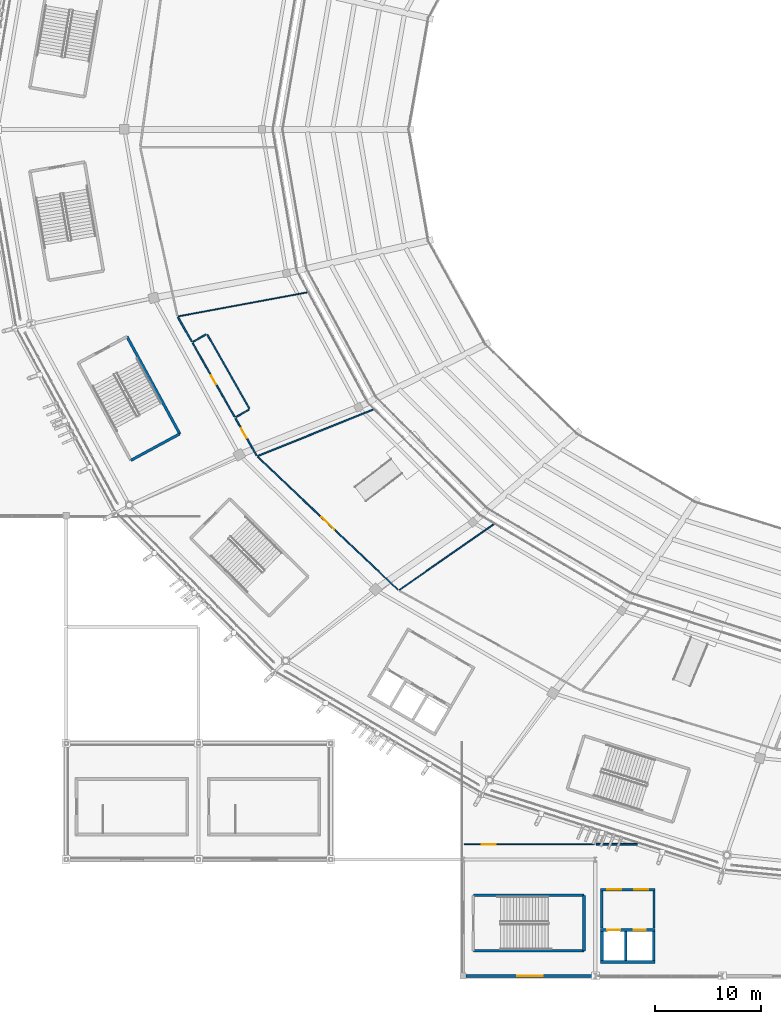
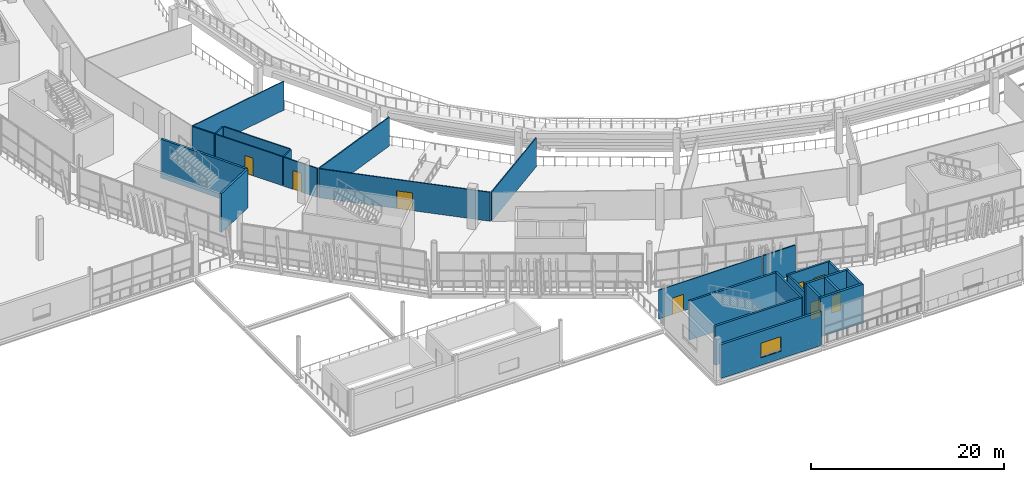
# One storey, part 121 of 178: 26 walls, 8 doors, 1 window, 9 openings.
"""IFC4 building model written with IfcOpenShell, lengths in metres."""

from ifc_helpers import new_model, si_unit, direction, frame, frame_2d, origin, place, context, subcontext, project, spatial, rectangle, extrude, material, layer, layer_set, type_object, element, fill, save


model = new_model("IFC4")

# Units and contexts
model_context = context("Model", 3, precision=1e-05, world=origin(), true_north=direction((0.0, 1.0)))
body_context = subcontext(model_context, "Body", "Model", "MODEL_VIEW")
ifc_project = project(units=[si_unit("LENGTHUNIT", "METRE"), si_unit("AREAUNIT", "SQUARE_METRE"), si_unit("VOLUMEUNIT", "CUBIC_METRE"), si_unit("PLANEANGLEUNIT", "RADIAN"), si_unit("MASSUNIT", "GRAM", prefix="KILO")], contexts=[model_context])

# Site, building, storey
site_placement = place(None, origin())
site = spatial("IfcSite", under=ifc_project, at=site_placement, CompositionType="ELEMENT")
building_placement = place(site_placement, origin())
building = spatial("IfcBuilding", under=site, at=building_placement, Name="Zlatoyarsky Gate Stadium", CompositionType="ELEMENT")
storey_placement = place(building_placement, frame((0.0, 0.0, 5.39990234375)))
storey = spatial("IfcBuildingStorey", under=building, at=storey_placement, Name="L01", CompositionType="ELEMENT", Elevation=5.39990234375)

# Wall
ifc_material_1 = material(Name="Double-stud acoustic gypsum partition", Category="gypsum")
ifc_layer_1 = layer(ifc_material_1, 0.169921875)
ifc_layer_set_1 = layer_set([ifc_layer_1], Name="Double-stud acoustic gypsum partition")
wall_type_1 = type_object("IfcWallType", Name="ACOUSTIC BROADCAST STUDIO WALL 170", PredefinedType="PARTITIONING", material=ifc_layer_set_1)
wall_1_placement = place(storey_placement, frame((74.5849609375, 12.449951171875, 0.0), z_axis=(0.0, 0.0, 1.0), x_axis=(1.0, 0.0, 0.0)))
element("IfcWall", 1, at=wall_1_placement, inside=storey, type_object=wall_type_1, Name="L01 interior partition PRT-L01-V3SC-NW1B", PredefinedType="PARTITIONING", context=body_context, shape_type="SweptSolid", body=[
    extrude(rectangle(XDim=3.878662109375, YDim=0.169921875, at=frame_2d((1.939453125, 0.0))), origin(), (0.0, 0.0, 1.0), 3.670166015625),
])

# Wall, opening, door
ifc_material_2 = material(Name="Moisture-resistant masonry partition", Category="masonry")
ifc_layer_2 = layer(ifc_material_2, 0.139892578125)
ifc_layer_set_2 = layer_set([ifc_layer_2], Name="Moisture-resistant masonry partition")
wall_type_2 = type_object("IfcWallType", Name="ATHLETE CHANGING BLOCK PARTITION 140", PredefinedType="PARTITIONING", material=ifc_layer_set_2)
wall_2_placement = place(storey_placement, frame((40.49658203125, 52.69580078125, 0.0), z_axis=(0.0, 0.0, 1.0), x_axis=(0.494344397149, -0.869266137042, 0.0)))
wall_2 = element("IfcWall", 2, at=wall_2_placement, inside=storey, type_object=wall_type_2, Name="L01 interior partition PRT-L01-ICC-13", PredefinedType="PARTITIONING", context=body_context, shape_type="SweptSolid", body=[
    extrude(rectangle(XDim=4.031494140625, YDim=0.139892578125, at=frame_2d((2.015625, 0.0))), origin(), (0.0, 0.0, 1.0), 3.670166015625),
])
opening_1_placement = place(wall_2_placement, frame((1.10009765625, 0.0, 0.0)))
opening_1 = element("IfcOpeningElement", 3, at=opening_1_placement, cuts=wall_2, Name="Opening D-L01-253", PredefinedType="OPENING", context=body_context, shape_type="SweptSolid", body=[
    extrude(rectangle(XDim=1.02001953125, YDim=2.3798828125, at=frame_2d((0.510009765625, 1.18994140625))), frame((0.0, 0.079833984375, 0.0), z_axis=(0.0, -1.0, 0.0), x_axis=(1.0, 0.0, 0.0)), (0.0, 0.0, 1.0), 0.159912109375),
])
ifc_material_3 = material(Name="Powder-coated steel fire door", Category="steel")
door_type_1 = type_object("IfcDoorType", Name="ACOUSTIC INTERIOR DOOR 1020X2380", OperationType="NOTDEFINED", PredefinedType="DOOR", material=ifc_material_3)
door_1_placement = place(opening_1_placement, origin())
door_1 = element("IfcDoor", 4, at=door_1_placement, inside=storey, type_object=door_type_1, Name="L01 room door D-L01-253", OperationType="SINGLE_SWING_RIGHT", OverallHeight=2.3798828125, OverallWidth=1.02001953125, PredefinedType="DOOR", context=body_context, shape_type="SweptSolid", body=[
    extrude(rectangle(XDim=1.02001953125, YDim=2.3798828125, at=frame_2d((0.510009765625, 1.18994140625))), frame((0.0, 0.02490234375, 0.0), z_axis=(0.0, -1.0, 0.0), x_axis=(1.0, 0.0, 0.0)), (0.0, 0.0, 1.0), 0.050048828125),
])
fill(opening_1, door_1)

# Walls
ifc_material_4 = material(Name="Metal-stud gypsum partition", Category="gypsum")
ifc_layer_3 = layer(ifc_material_4, 0.14990234375)
ifc_layer_set_3 = layer_set([ifc_layer_3], Name="Metal-stud gypsum partition")
wall_type_3 = type_object("IfcWallType", Name="CONCOURSE CORRIDOR PARTITION 150", PredefinedType="PARTITIONING", material=ifc_layer_set_3)
wall_3_placement = place(storey_placement, frame((35.06396484375, 62.2490234375, 0.0), z_axis=(0.0, 0.0, 1.0), x_axis=(0.494328358442, -0.869275257925, 0.0)))
element("IfcWall", 5, at=wall_3_placement, inside=storey, type_object=wall_type_3, Name="L01 interior partition PRT-L01-WCL-13", PredefinedType="PARTITIONING", context=body_context, shape_type="SweptSolid", body=[
    extrude(rectangle(XDim=2.6298828125, YDim=0.14990234375, at=frame_2d((1.31494140625, 0.0))), origin(), (0.0, 0.0, 1.0), 3.670166015625),
])
ifc_material_5 = material(Name="Concrete C40/50", Category="concrete")
ifc_layer_4 = layer(ifc_material_5, 0.27001953125)
ifc_layer_set_4 = layer_set([ifc_layer_4], Name="Concrete C40/50")
wall_type_4 = type_object("IfcWallType", Name="CONCRETE LIFT SHAFT SHEAR WALL 270", PredefinedType="SHEAR", material=ifc_layer_set_4)
wall_4_placement = place(storey_placement, frame((75.0, 1.3349609375, 0.0), z_axis=(0.0, 0.0, 1.0), x_axis=(1.0, 0.0, 0.0)))
element("IfcWall", 6, at=wall_4_placement, inside=storey, type_object=wall_type_4, Name="C6 L01 lift shaft rear wall", PredefinedType="SHEAR", context=body_context, shape_type="SweptSolid", body=[
    extrude(rectangle(XDim=5.14990234375, YDim=0.27001953125, at=frame_2d((2.574951171875, 0.0))), origin(), (0.0, 0.0, 1.0), 4.920166015625),
])
for number, where, z_axis, x_axis, name in (
    (7, (75.135009765625, 1.47998046875, 0.0), (0.0, 0.0, 1.0), (0.0, 1.0, 0.0), "C6 L01 lift shaft left wall"),
    (8, (80.014892578125, 1.47998046875, 0.0), (0.0, 0.0, 1.0), (0.0, 1.0, 0.0), "C6 L01 lift shaft right wall"),
    (9, (77.375, 1.47998046875, 0.0), (0.0, 0.0, 1.0), (0.0, 1.0, 0.0), "C6 L01 lift shaft divider 1"),
):
    element("IfcWall", number, at=place(storey_placement, frame(where, z_axis=z_axis, x_axis=x_axis)), inside=storey, type_object=wall_type_4, Name=name, PredefinedType="SHEAR", context=body_context, shape_type="SweptSolid", body=[
        extrude(rectangle(XDim=2.739990234375, YDim=0.27001953125, at=frame_2d((1.3701171875, 0.0))), origin(), (0.0, 0.0, 1.0), 4.920166015625),
    ])

# Wall, openings, doors
wall_5_placement = place(storey_placement, frame((75.0, 4.364990234375, 0.0), z_axis=(0.0, 0.0, 1.0), x_axis=(1.0, 0.0, 0.0)))
wall_5 = element("IfcWall", 10, at=wall_5_placement, inside=storey, type_object=wall_type_4, Name="C6 L01 lift landing front wall", PredefinedType="SHEAR", context=body_context, shape_type="SweptSolid", body=[
    extrude(rectangle(XDim=5.14990234375, YDim=0.27001953125, at=frame_2d((2.574951171875, 0.0))), origin(), (0.0, 0.0, 1.0), 4.920166015625),
])
opening_2_placement = place(wall_5_placement, frame((0.64990234375, 0.0, 0.0)))
opening_2 = element("IfcOpeningElement", 11, at=opening_2_placement, cuts=wall_5, Name="Opening LD-FL-06-L01", PredefinedType="OPENING", context=body_context, shape_type="SweptSolid", body=[
    extrude(rectangle(XDim=1.199951171875, YDim=2.25, at=frame_2d((0.60009765625, 1.125))), frame((0.0, 0.14501953125, 0.0), z_axis=(0.0, -1.0, 0.0), x_axis=(1.0, 0.0, 0.0)), (0.0, 0.0, 1.0), 0.2900390625),
])
opening_3_placement = place(wall_5_placement, frame((3.14990234375, 0.0, 0.0)))
opening_3 = element("IfcOpeningElement", 12, at=opening_3_placement, cuts=wall_5, Name="Opening LD-LF-10-L01", PredefinedType="OPENING", context=body_context, shape_type="SweptSolid", body=[
    extrude(rectangle(XDim=1.10009765625, YDim=2.199951171875, at=frame_2d((0.550048828125, 1.10009765625))), frame((0.0, 0.14501953125, 0.0), z_axis=(0.0, -1.0, 0.0), x_axis=(1.0, 0.0, 0.0)), (0.0, 0.0, 1.0), 0.2900390625),
])
door_type_2 = type_object("IfcDoorType", Name="STAINLESS LIFT LANDING SLIDING DOOR 1100X2200", OperationType="DOUBLE_DOOR_SLIDING", PredefinedType="DOOR", material=ifc_material_3)
door_2_placement = place(opening_3_placement, origin())
door_2 = element("IfcDoor", 13, at=door_2_placement, inside=storey, type_object=door_type_2, Name="Lift LF-10 L01 sliding landing door", OperationType="DOUBLE_DOOR_SLIDING", OverallHeight=2.199951171875, OverallWidth=1.10009765625, PredefinedType="DOOR", context=body_context, shape_type="SweptSolid", body=[
    extrude(rectangle(XDim=1.10009765625, YDim=2.199951171875, at=frame_2d((0.550048828125, 1.10009765625))), frame((0.0, 0.02490234375, 0.0), z_axis=(0.0, -1.0, 0.0), x_axis=(1.0, 0.0, 0.0)), (0.0, 0.0, 1.0), 0.050048828125),
])
fill(opening_3, door_2)
door_type_3 = type_object("IfcDoorType", Name="STAINLESS LIFT LANDING SLIDING DOOR 1200X2250", OperationType="DOUBLE_DOOR_SLIDING", PredefinedType="DOOR", material=ifc_material_3)
door_3_placement = place(opening_2_placement, origin())
door_3 = element("IfcDoor", 14, at=door_3_placement, inside=storey, type_object=door_type_3, Name="Lift FL-06 L01 sliding landing door", OperationType="DOUBLE_DOOR_SLIDING", OverallHeight=2.25, OverallWidth=1.199951171875, PredefinedType="DOOR", context=body_context, shape_type="SweptSolid", body=[
    extrude(rectangle(XDim=1.199951171875, YDim=2.25, at=frame_2d((0.60009765625, 1.125))), frame((0.0, 0.02490234375, 0.0), z_axis=(0.0, -1.0, 0.0), x_axis=(1.0, 0.0, 0.0)), (0.0, 0.0, 1.0), 0.050048828125),
])
fill(opening_2, door_3)

# Walls
ifc_layer_5 = layer(ifc_material_5, 0.25)
ifc_layer_set_5 = layer_set([ifc_layer_5], Name="Concrete C40/50")
wall_type_5 = type_object("IfcWallType", Name="CONCRETE STAIR CORE SHEAR WALL 250", PredefinedType="SHEAR", material=ifc_layer_set_5)
wall_6_placement = place(storey_placement, frame((30.615234375, 48.731201171875, 0.0), z_axis=(0.0, 0.0, 1.0), x_axis=(0.878961487093, 0.47689275965, 0.0)))
element("IfcWall", 15, at=wall_6_placement, inside=storey, type_object=wall_type_5, Name="ST-15 L01 stair core far shear wall", PredefinedType="SHEAR", context=body_context, shape_type="SweptSolid", body=[
    extrude(rectangle(XDim=5.25, YDim=0.25, at=frame_2d((2.625, 0.0))), origin(), (0.0, 0.0, 1.0), 4.920166015625),
])
wall_7_placement = place(storey_placement, frame((35.229736328125, 51.23486328125, 0.0), z_axis=(0.0, 0.0, 1.0), x_axis=(-0.476876856974, 0.878970115125, 0.0)))
element("IfcWall", 16, at=wall_7_placement, inside=storey, type_object=wall_type_5, Name="ST-15 L01 stair core right shear wall", PredefinedType="SHEAR", context=body_context, shape_type="SweptSolid", body=[
    extrude(rectangle(XDim=10.4501953125, YDim=0.25, at=frame_2d((5.22509765625, 0.0))), origin(), (0.0, 0.0, 1.0), 4.920166015625),
])
wall_8_placement = place(storey_placement, frame((62.97509765625, 2.375, 0.0), z_axis=(0.0, 0.0, 1.0), x_axis=(1.0, 0.0, 0.0)))
element("IfcWall", 17, at=wall_8_placement, inside=storey, type_object=wall_type_5, Name="ST-29 L01 stair core left shear wall", PredefinedType="SHEAR", context=body_context, shape_type="SweptSolid", body=[
    extrude(rectangle(XDim=10.449951171875, YDim=0.25, at=frame_2d((5.22509765625, 0.0))), origin(), (0.0, 0.0, 1.0), 4.920166015625),
])
wall_9_placement = place(storey_placement, frame((73.425048828125, 2.375, 0.0), z_axis=(0.0, 0.0, 1.0), x_axis=(0.0, 1.0, 0.0)))
element("IfcWall", 18, at=wall_9_placement, inside=storey, type_object=wall_type_5, Name="ST-29 L01 stair core far shear wall", PredefinedType="SHEAR", context=body_context, shape_type="SweptSolid", body=[
    extrude(rectangle(XDim=5.25, YDim=0.25, at=frame_2d((2.625, 0.0))), origin(), (0.0, 0.0, 1.0), 4.920166015625),
])
wall_10_placement = place(storey_placement, frame((73.425048828125, 7.625, 0.0), z_axis=(0.0, 0.0, 1.0), x_axis=(-1.0, 0.0, 0.0)))
element("IfcWall", 19, at=wall_10_placement, inside=storey, type_object=wall_type_5, Name="ST-29 L01 stair core right shear wall", PredefinedType="SHEAR", context=body_context, shape_type="SweptSolid", body=[
    extrude(rectangle(XDim=10.449951171875, YDim=0.25, at=frame_2d((5.22509765625, 0.0))), origin(), (0.0, 0.0, 1.0), 4.920166015625),
])
ifc_material_6 = material(Name="Autoclaved aerated concrete masonry EI 120", Category="masonry")
ifc_layer_6 = layer(ifc_material_6, 0.219970703125)
ifc_layer_set_6 = layer_set([ifc_layer_6], Name="Autoclaved aerated concrete masonry EI 120")
wall_type_6 = type_object("IfcWallType", Name="FIREFIGHTING LOBBY RATED WALL 220", PredefinedType="PARTITIONING", material=ifc_layer_set_6)
for number, where, z_axis, x_axis, name in (
    (20, (75.110107421875, 4.52001953125, 0.0), (0.0, 0.0, 1.0), (0.0, 1.0, 0.0), "C6 L01 firefighting lobby left wall"),
    (21, (80.0400390625, 4.52001953125, 0.0), (0.0, 0.0, 1.0), (0.0, 1.0, 0.0), "C6 L01 firefighting lobby right wall"),
):
    element("IfcWall", number, at=place(storey_placement, frame(where, z_axis=z_axis, x_axis=x_axis)), inside=storey, type_object=wall_type_6, Name=name, PredefinedType="PARTITIONING", context=body_context, shape_type="SweptSolid", body=[
        extrude(rectangle(XDim=3.530029296875, YDim=0.219970703125, at=frame_2d((1.76513671875, 0.0))), origin(), (0.0, 0.0, 1.0), 3.670166015625),
    ])

# Wall, openings, doors
wall_11_placement = place(storey_placement, frame((75.0, 8.159912109375, 0.0), z_axis=(0.0, 0.0, 1.0), x_axis=(1.0, 0.0, 0.0)))
wall_11 = element("IfcWall", 22, at=wall_11_placement, inside=storey, type_object=wall_type_6, Name="C6 L01 firefighting lobby front wall", PredefinedType="PARTITIONING", context=body_context, shape_type="SweptSolid", body=[
    extrude(rectangle(XDim=5.14990234375, YDim=0.219970703125, at=frame_2d((2.574951171875, 0.0))), origin(), (0.0, 0.0, 1.0), 3.670166015625),
])
opening_4_placement = place(wall_11_placement, frame((0.64990234375, 0.0, 0.0)))
opening_4 = element("IfcOpeningElement", 23, at=opening_4_placement, cuts=wall_11, Name="Opening FD-C6-L01-A", PredefinedType="OPENING", context=body_context, shape_type="SweptSolid", body=[
    extrude(rectangle(XDim=1.300048828125, YDim=2.199951171875, at=frame_2d((0.64990234375, 1.10009765625))), frame((0.0, 0.119873046875, 0.0), z_axis=(0.0, -1.0, 0.0), x_axis=(1.0, 0.0, 0.0)), (0.0, 0.0, 1.0), 0.239990234375),
])
opening_5_placement = place(wall_11_placement, frame((3.199951171875, 0.0, 0.0)))
opening_5 = element("IfcOpeningElement", 24, at=opening_5_placement, cuts=wall_11, Name="Opening FD-C6-L01-B", PredefinedType="OPENING", context=body_context, shape_type="SweptSolid", body=[
    extrude(rectangle(XDim=1.300048828125, YDim=2.199951171875, at=frame_2d((0.64990234375, 1.10009765625))), frame((0.0, 0.119873046875, 0.0), z_axis=(0.0, -1.0, 0.0), x_axis=(1.0, 0.0, 0.0)), (0.0, 0.0, 1.0), 0.239990234375),
])
door_type_4 = type_object("IfcDoorType", Name="FIREFIGHTING LOBBY FIRE DOOR 1300X2200", OperationType="NOTDEFINED", PredefinedType="DOOR", material=ifc_material_3)
door_4_placement = place(opening_4_placement, origin())
door_4 = element("IfcDoor", 25, at=door_4_placement, inside=storey, type_object=door_type_4, Name="C6 L01 firefighting lobby fire door FD-C6-L01-A", OperationType="SINGLE_SWING_LEFT", OverallHeight=2.199951171875, OverallWidth=1.300048828125, PredefinedType="DOOR", context=body_context, shape_type="SweptSolid", body=[
    extrude(rectangle(XDim=1.300048828125, YDim=2.199951171875, at=frame_2d((0.64990234375, 1.10009765625))), frame((0.0, 0.02490234375, 0.0), z_axis=(0.0, -1.0, 0.0), x_axis=(1.0, 0.0, 0.0)), (0.0, 0.0, 1.0), 0.050048828125),
])
fill(opening_4, door_4)
door_5_placement = place(opening_5_placement, origin())
door_5 = element("IfcDoor", 26, at=door_5_placement, inside=storey, type_object=door_type_4, Name="C6 L01 firefighting lobby fire door FD-C6-L01-B", OperationType="SINGLE_SWING_RIGHT", OverallHeight=2.199951171875, OverallWidth=1.300048828125, PredefinedType="DOOR", context=body_context, shape_type="SweptSolid", body=[
    extrude(rectangle(XDim=1.300048828125, YDim=2.199951171875, at=frame_2d((0.64990234375, 1.10009765625))), frame((0.0, 0.02490234375, 0.0), z_axis=(0.0, -1.0, 0.0), x_axis=(1.0, 0.0, 0.0)), (0.0, 0.0, 1.0), 0.050048828125),
])
fill(opening_5, door_5)

# Wall, opening, door
ifc_material_7 = material(Name="Timber-veneered acoustic operable partition", Category="wood")
ifc_layer_7 = layer(ifc_material_7, 0.094970703125)
ifc_layer_set_7 = layer_set([ifc_layer_7], Name="Timber-veneered acoustic operable partition")
wall_type_7 = type_object("IfcWallType", Name="FOLDING BANQUET SALON WALL 95", PredefinedType="MOVABLE", material=ifc_layer_set_7)
wall_12_placement = place(storey_placement, frame((62.10498046875, 12.449951171875, 0.0), z_axis=(0.0, 0.0, 1.0), x_axis=(1.0, 0.0, 0.0)))
wall_12 = element("IfcWall", 27, at=wall_12_placement, inside=storey, type_object=wall_type_7, Name="L01 interior partition PRT-L01-V3SC-NW1A", PredefinedType="MOVABLE", context=body_context, shape_type="SweptSolid", body=[
    extrude(rectangle(XDim=12.31005859375, YDim=0.094970703125, at=frame_2d((6.155029296875, 0.0))), origin(), (0.0, 0.0, 1.0), 3.670166015625),
])
opening_6_placement = place(wall_12_placement, frame((1.64990234375, 0.0, 0.0)))
opening_6 = element("IfcOpeningElement", 28, at=opening_6_placement, cuts=wall_12, Name="Opening D-L01-279", PredefinedType="OPENING", context=body_context, shape_type="SweptSolid", body=[
    extrude(rectangle(XDim=1.340087890625, YDim=2.10009765625, at=frame_2d((0.669921875, 1.050048828125))), frame((0.0, 0.057373046875, 0.0), z_axis=(0.0, -1.0, 0.0), x_axis=(1.0, 0.0, 0.0)), (0.0, 0.0, 1.0), 0.114990234375),
])
ifc_material_8 = material(Name="Solid-core oak veneer acoustic door", Category="wood")
door_type_5 = type_object("IfcDoorType", Name="ACOUSTIC INTERIOR DOOR 1340X2100", OperationType="NOTDEFINED", PredefinedType="DOOR", material=ifc_material_8)
door_6_placement = place(opening_6_placement, origin())
door_6 = element("IfcDoor", 29, at=door_6_placement, inside=storey, type_object=door_type_5, Name="L01 room door D-L01-279", OperationType="SINGLE_SWING_LEFT", OverallHeight=2.10009765625, OverallWidth=1.340087890625, PredefinedType="DOOR", context=body_context, shape_type="SweptSolid", body=[
    extrude(rectangle(XDim=1.340087890625, YDim=2.10009765625, at=frame_2d((0.669921875, 1.050048828125))), frame((0.0, 0.02490234375, 0.0), z_axis=(0.0, -1.0, 0.0), x_axis=(1.0, 0.0, 0.0)), (0.0, 0.0, 1.0), 0.050048828125),
])
fill(opening_6, door_6)

# Wall, opening, window
ifc_material_9 = material(Name="Precast concrete C40/50 architectural panel", Category="concrete")
ifc_layer_8 = layer(ifc_material_9, 0.280029296875)
ifc_layer_set_8 = layer_set([ifc_layer_8], Name="Precast concrete C40/50 architectural panel")
wall_type_8 = type_object("IfcWallType", Name="INSULATED WING SPANDREL WALL 280", PredefinedType="STANDARD", material=ifc_layer_set_8)
wall_13_placement = place(storey_placement, frame((62.297119140625, 0.0, 0.0), z_axis=(0.0, 0.0, 1.0), x_axis=(1.0, 0.0, 0.0)))
wall_13 = element("IfcWall", 30, at=wall_13_placement, inside=storey, type_object=wall_type_8, Name="V3_SOUTH L01 S exterior wall", PredefinedType="STANDARD", context=body_context, shape_type="SweptSolid", body=[
    extrude(rectangle(XDim=12.055908203125, YDim=0.280029296875, at=frame_2d((6.02783203125, 0.0))), origin(), (0.0, 0.0, 1.0), 4.300048828125),
])
opening_7_placement = place(wall_13_placement, frame((4.827880859375, 0.0, 0.949951171875)))
opening_7 = element("IfcOpeningElement", 31, at=opening_7_placement, cuts=wall_13, Name="Opening WN-19", PredefinedType="OPENING", context=body_context, shape_type="SweptSolid", body=[
    extrude(rectangle(XDim=2.39990234375, YDim=1.85009765625, at=frame_2d((1.199951171875, 0.925048828125))), frame((0.0, 0.14990234375, 0.0), z_axis=(0.0, -1.0, 0.0), x_axis=(1.0, 0.0, 0.0)), (0.0, 0.0, 1.0), 0.300048828125),
])
ifc_material_10 = material(Name="Triple-glazed thermally broken aluminium window", Category="aluminium")
window_type = type_object("IfcWindowType", Name="TRIPLE GLAZED ALUMINIUM WINDOW 2400X1850", PartitioningType="SINGLE_PANEL", PredefinedType="WINDOW", material=ifc_material_10)
window_placement = place(opening_7_placement, origin())
window = element("IfcWindow", 32, at=window_placement, inside=storey, type_object=window_type, Name="Exterior window WIN-L01-019", OverallHeight=1.85009765625, OverallWidth=2.39990234375, PartitioningType="SINGLE_PANEL", PredefinedType="WINDOW", context=body_context, shape_type="SweptSolid", body=[
    extrude(rectangle(XDim=2.39990234375, YDim=1.85009765625, at=frame_2d((1.199951171875, 0.925048828125))), frame((0.0, 0.030029296875, 0.0), z_axis=(0.0, -1.0, 0.0), x_axis=(1.0, 0.0, 0.0)), (0.0, 0.0, 1.0), 0.06005859375),
])
fill(opening_7, window)

# Walls
ifc_layer_9 = layer(ifc_material_4, 0.110107421875)
ifc_layer_set_9 = layer_set([ifc_layer_9], Name="Metal-stud gypsum partition")
wall_type_9 = type_object("IfcWallType", Name="KIOSK SERVICE PARTITION 110", PredefinedType="PARTITIONING", material=ifc_layer_set_9)
wall_14_placement = place(storey_placement, frame((64.902587890625, 42.6904296875, 0.0), z_axis=(0.0, 0.0, 1.0), x_axis=(-0.821074181203, -0.570821503592, 0.0)))
element("IfcWall", 33, at=wall_14_placement, inside=storey, type_object=wall_type_9, Name="L01 interior partition PRT-L01-IRD-15", PredefinedType="PARTITIONING", context=body_context, shape_type="SweptSolid", body=[
    extrude(rectangle(XDim=10.864013671875, YDim=0.110107421875, at=frame_2d((5.43212890625, 0.0))), origin(), (0.0, 0.0, 1.0), 3.670166015625),
])
ifc_layer_10 = layer(ifc_material_4, 0.10009765625)
ifc_layer_set_10 = layer_set([ifc_layer_10], Name="Metal-stud gypsum partition")
wall_type_10 = type_object("IfcWallType", Name="LIGHT STORAGE PARTITION 100", PredefinedType="PARTITIONING", material=ifc_layer_set_10)
wall_15_placement = place(storey_placement, frame((47.30810546875, 64.60888671875, 0.0), z_axis=(0.0, 0.0, 1.0), x_axis=(-0.983126430001, -0.182927369833, 0.0)))
element("IfcWall", 34, at=wall_15_placement, inside=storey, type_object=wall_type_10, Name="L01 interior partition PRT-L01-IRD-13", PredefinedType="PARTITIONING", context=body_context, shape_type="SweptSolid", body=[
    extrude(rectangle(XDim=12.412109375, YDim=0.10009765625, at=frame_2d((6.2060546875, 0.0))), origin(), (0.0, 0.0, 1.0), 3.670166015625),
])

# Wall, opening, door
ifc_layer_11 = layer(ifc_material_4, 0.1201171875)
ifc_layer_set_11 = layer_set([ifc_layer_11], Name="Metal-stud gypsum partition")
wall_type_11 = type_object("IfcWallType", Name="OFFICE AND PRESS PARTITION 120", PredefinedType="PARTITIONING", material=ifc_layer_set_11)
wall_16_placement = place(storey_placement, frame((42.593017578125, 49.058837890625, 0.0), z_axis=(0.0, 0.0, 1.0), x_axis=(0.725964978713, -0.687731669826, 0.0)))
wall_16 = element("IfcWall", 35, at=wall_16_placement, inside=storey, type_object=wall_type_11, Name="L01 vomitory portal wall PRT-L01-ICC-14", PredefinedType="PARTITIONING", context=body_context, shape_type="SweptSolid", body=[
    extrude(rectangle(XDim=18.2626953125, YDim=0.1201171875, at=frame_2d((9.13134765625, 0.0))), origin(), (0.0, 0.0, 1.0), 3.670166015625),
])
opening_8_placement = place(wall_16_placement, frame((8.291259765625, 0.0, 0.0)))
opening_8 = element("IfcOpeningElement", 36, at=opening_8_placement, cuts=wall_16, Name="Opening D-L01-255", PredefinedType="OPENING", context=body_context, shape_type="SweptSolid", body=[
    extrude(rectangle(XDim=1.679931640625, YDim=2.239990234375, at=frame_2d((0.83984375, 1.1201171875))), frame((0.0, 0.070068359375, 0.0), z_axis=(0.0, -1.0, 0.0), x_axis=(1.0, 0.0, 0.0)), (0.0, 0.0, 1.0), 0.14013671875),
])
door_type_6 = type_object("IfcDoorType", Name="ACOUSTIC INTERIOR DOOR 1680X2240", OperationType="NOTDEFINED", PredefinedType="DOOR", material=ifc_material_8)
door_7_placement = place(opening_8_placement, origin())
door_7 = element("IfcDoor", 37, at=door_7_placement, inside=storey, type_object=door_type_6, Name="L01 vomitory portal door D-L01-255", OperationType="SINGLE_SWING_LEFT", OverallHeight=2.239990234375, OverallWidth=1.679931640625, PredefinedType="DOOR", context=body_context, shape_type="SweptSolid", body=[
    extrude(rectangle(XDim=1.679931640625, YDim=2.239990234375, at=frame_2d((0.83984375, 1.1201171875))), frame((0.0, 0.02490234375, 0.0), z_axis=(0.0, -1.0, 0.0), x_axis=(1.0, 0.0, 0.0)), (0.0, 0.0, 1.0), 0.050048828125),
])
fill(opening_8, door_7)

ifc_material_11 = material(Name="Moisture-resistant tile-backed partition", Category="gypsum")
ifc_layer_12 = layer(ifc_material_11, 0.1298828125)
ifc_layer_set_12 = layer_set([ifc_layer_12], Name="Moisture-resistant tile-backed partition")
wall_type_12 = type_object("IfcWallType", Name="SANITARY WET ROOM PARTITION 130", PredefinedType="PARTITIONING", material=ifc_layer_set_12)
wall_17_placement = place(storey_placement, frame((36.447998046875, 59.815185546875, 0.0), z_axis=(0.0, 0.0, 1.0), x_axis=(0.49433154203, -0.869273447515, 0.0)))
wall_17 = element("IfcWall", 38, at=wall_17_placement, inside=storey, type_object=wall_type_12, Name="L01 interior partition PRT-L01-WC13-F", PredefinedType="PARTITIONING", context=body_context, shape_type="SweptSolid", body=[
    extrude(rectangle(XDim=8.02001953125, YDim=0.1298828125, at=frame_2d((4.010009765625, 0.0))), origin(), (0.0, 0.0, 1.0), 3.670166015625),
])
opening_9_placement = place(wall_17_placement, frame((3.530029296875, 0.0, 0.0)))
opening_9 = element("IfcOpeningElement", 39, at=opening_9_placement, cuts=wall_17, Name="Opening D-L01-248", PredefinedType="OPENING", context=body_context, shape_type="SweptSolid", body=[
    extrude(rectangle(XDim=0.9599609375, YDim=2.239990234375, at=frame_2d((0.47998046875, 1.1201171875))), frame((0.0, 0.074951171875, 0.0), z_axis=(0.0, -1.0, 0.0), x_axis=(1.0, 0.0, 0.0)), (0.0, 0.0, 1.0), 0.14990234375),
])
door_type_7 = type_object("IfcDoorType", Name="ACOUSTIC INTERIOR DOOR 960X2240", OperationType="NOTDEFINED", PredefinedType="DOOR", material=ifc_material_8)
door_8_placement = place(opening_9_placement, origin())
door_8 = element("IfcDoor", 40, at=door_8_placement, inside=storey, type_object=door_type_7, Name="L01 room door D-L01-248", OperationType="SINGLE_SWING_LEFT", OverallHeight=2.239990234375, OverallWidth=0.9599609375, PredefinedType="DOOR", context=body_context, shape_type="SweptSolid", body=[
    extrude(rectangle(XDim=0.9599609375, YDim=2.239990234375, at=frame_2d((0.47998046875, 1.1201171875))), frame((0.0, 0.02490234375, 0.0), z_axis=(0.0, -1.0, 0.0), x_axis=(1.0, 0.0, 0.0)), (0.0, 0.0, 1.0), 0.050048828125),
])
fill(opening_9, door_8)

# Walls
wall_18_placement = place(storey_placement, frame((37.8388671875, 60.60595703125, 0.0), z_axis=(0.0, 0.0, 1.0), x_axis=(0.494344623104, -0.869266008543, 0.0)))
element("IfcWall", 41, at=wall_18_placement, inside=storey, type_object=wall_type_12, Name="L01 interior partition PRT-L01-WC13-B", PredefinedType="PARTITIONING", context=body_context, shape_type="SweptSolid", body=[
    extrude(rectangle(XDim=8.02001953125, YDim=0.1298828125, at=frame_2d((4.010009765625, 0.0))), origin(), (0.0, 0.0, 1.0), 3.670166015625),
])
wall_19_placement = place(storey_placement, frame((36.47998046875, 59.930908203125, 0.0), z_axis=(0.0, 0.0, 1.0), x_axis=(0.869208112857, 0.494446414228, 0.0)))
element("IfcWall", 42, at=wall_19_placement, inside=storey, type_object=wall_type_12, Name="L01 interior partition PRT-L01-WC13-L", PredefinedType="PARTITIONING", context=body_context, shape_type="SweptSolid", body=[
    extrude(rectangle(XDim=1.429931640625, YDim=0.1298828125, at=frame_2d((0.71484375, 0.0))), origin(), (0.0, 0.0, 1.0), 3.670166015625),
])
wall_20_placement = place(storey_placement, frame((40.5283203125, 52.8115234375, 0.0), z_axis=(0.0, 0.0, 1.0), x_axis=(0.869249844211, 0.494373045725, 0.0)))
element("IfcWall", 43, at=wall_20_placement, inside=storey, type_object=wall_type_12, Name="L01 interior partition PRT-L01-WC13-R", PredefinedType="PARTITIONING", context=body_context, shape_type="SweptSolid", body=[
    extrude(rectangle(XDim=1.43017578125, YDim=0.1298828125, at=frame_2d((0.715087890625, 0.0))), origin(), (0.0, 0.0, 1.0), 3.670166015625),
])
wall_21_placement = place(storey_placement, frame((53.550048828125, 53.540771484375, 0.0), z_axis=(0.0, 0.0, 1.0), x_axis=(-0.92801606339, -0.372540180505, 0.0)))
element("IfcWall", 44, at=wall_21_placement, inside=storey, type_object=wall_type_12, Name="L01 interior partition PRT-L01-IRD-14", PredefinedType="PARTITIONING", context=body_context, shape_type="SweptSolid", body=[
    extrude(rectangle(XDim=11.788330078125, YDim=0.1298828125, at=frame_2d((5.89404296875, 0.0))), origin(), (0.0, 0.0, 1.0), 3.670166015625),
])

save(model, "model.ifc")
